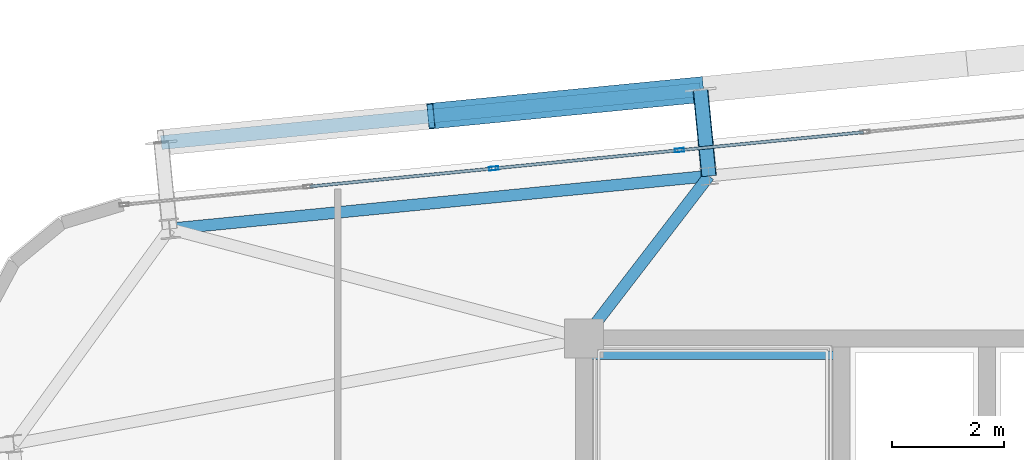
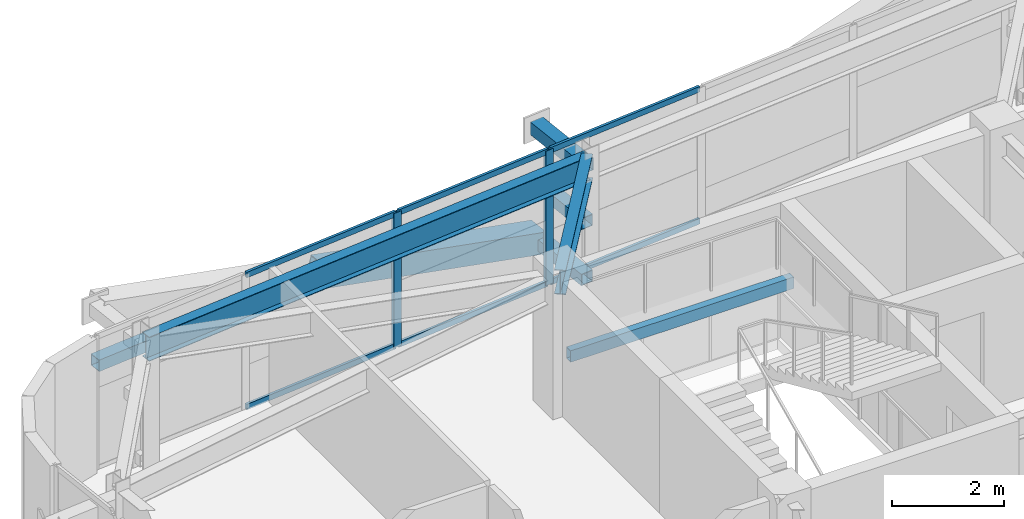
# One storey, part 28 of 54: 13 members, 3 beams, 1 element without a shape of its own.
"""IFC4 building model written with IfcOpenShell, lengths in metres."""

from ifc_helpers import new_model, si_unit, direction, frame, origin, origin_2d, place, context, subcontext, project, spatial, hollow_rectangle, i_section, extrude, source, transform, mapped, material, layer, layer_set, material_profile, profile_set, type_object, element, aggregate, save


model = new_model("IFC4")

# Units and contexts
model_context = context("Model", 3, precision=1e-05, world=origin(), true_north=direction((0.0, 1.0)))
body_context = subcontext(model_context, "Body", "Model", "MODEL_VIEW")
ifc_project = project(units=[si_unit("LENGTHUNIT", "METRE"), si_unit("AREAUNIT", "SQUARE_METRE"), si_unit("VOLUMEUNIT", "CUBIC_METRE"), si_unit("PLANEANGLEUNIT", "RADIAN"), si_unit("MASSUNIT", "GRAM", prefix="KILO")], contexts=[model_context])

# Site, building, storey
site_placement = place(None, origin())
site = spatial("IfcSite", under=ifc_project, at=site_placement, CompositionType="ELEMENT")
building_placement = place(site_placement, origin())
building = spatial("IfcBuilding", under=site, at=building_placement, Name="Taldren Reach Tower", CompositionType="ELEMENT")
storey_placement = place(building_placement, frame((0.0, 0.0, 102.89990234375)))
storey = spatial("IfcBuildingStorey", under=building, at=storey_placement, Name="L31", CompositionType="ELEMENT", Elevation=102.89990234375)

# Beams
ifc_material_1 = material(Name="Steel Gr 350 (350PLUS)", Category="steel")
ifc_material_profile_1 = material_profile(ifc_material_1, i_section(OverallWidth=0.208984375, OverallDepth=0.528076171875, WebThickness=0.009521484375, FlangeThickness=0.01318359375, at=origin_2d()), Name="530UB82.0")
ifc_profile_set_1 = profile_set([ifc_material_profile_1], Name="Steel Gr 350 (350PLUS)")
beam_type_1 = type_object("IfcBeamType", Name="SP-UB530B", PredefinedType="SPANDREL", material=ifc_profile_set_1)
shared_shape_1 = source(origin(), body_context, "Body", "SweptSolid", [
    extrude(i_section(OverallWidth=0.208984375, OverallDepth=0.528076171875, WebThickness=0.009521484375, FlangeThickness=0.01318359375, at=origin_2d()), origin(), (0.0, 0.0, 1.0), 9.679931640625),
])
beam_1_placement = place(storey_placement, frame((21.230712890625, 34.9013671875, 2.666015625), z_axis=(-0.995227612658, -0.097580730699, 0.0), x_axis=(0.097580730699, -0.995227612658, 0.0)))
element("IfcBeam", 1, at=beam_1_placement, inside=storey, type_object=beam_type_1, Name="Perimeter spandrel B2 N2-N1 L31", PredefinedType="SPANDREL", context=body_context, shape_type="MappedRepresentation", body=[
    mapped(shared_shape_1, transform((0.0, 0.0, 0.0), scale=1.0)),
])
ifc_material_profile_2 = material_profile(ifc_material_1, i_section(OverallWidth=0.208984375, OverallDepth=0.532958984375, WebThickness=0.01025390625, FlangeThickness=0.015625, at=origin_2d()), Name="530UB92.4")
ifc_profile_set_2 = profile_set([ifc_material_profile_2], Name="Steel Gr 350 (350PLUS)")
beam_type_2 = type_object("IfcBeamType", Name="BM-UB530A", PredefinedType="BEAM", material=ifc_profile_set_2)
shared_shape_2 = source(origin(), body_context, "Body", "SweptSolid", [
    extrude(i_section(OverallWidth=0.208984375, OverallDepth=0.532958984375, WebThickness=0.01025390625, FlangeThickness=0.015625, at=origin_2d()), origin(), (0.0, 0.0, 1.0), 3.65966796875),
])
beam_2_placement = place(storey_placement, frame((19.0, 32.0, 2.66357421875), z_axis=(0.609520535722, 0.792770279799, 0.0), x_axis=(-0.792770279799, 0.609520535722, 0.0)))
element("IfcBeam", 2, at=beam_2_placement, inside=storey, type_object=beam_type_2, Name="Primary floor girder B2-N2 L31", PredefinedType="BEAM", context=body_context, shape_type="MappedRepresentation", body=[
    mapped(shared_shape_2, transform((0.0, 0.0, 0.0), scale=1.0)),
])

# Members
ifc_material_2 = material(Name="Steel Gr 450 (C450L0)", Category="steel")
ifc_material_profile_3 = material_profile(ifc_material_2, hollow_rectangle(XDim=0.27490234375, YDim=0.27490234375, WallThickness=0.00927734375, at=origin_2d()), Name="275x275x9.3SHS")
ifc_profile_set_3 = profile_set([ifc_material_profile_3], Name="Steel Gr 450 (C450L0)")
member_type_1 = type_object("IfcMemberType", Name="MB-TIE273", PredefinedType="STRUT", material=ifc_profile_set_3)
shared_shape_3 = source(origin(), body_context, "Body", "SweptSolid", [
    extrude(hollow_rectangle(XDim=0.27490234375, YDim=0.27490234375, WallThickness=0.00927734375, at=origin_2d()), origin(), (0.0, 0.0, 1.0), 1.550048828125),
])
member_1_placement = place(storey_placement, frame((21.230712890625, 34.9013671875, 2.650146484375), z_axis=(-0.097647892962, 0.9952210252, 0.0), x_axis=(-0.9952210252, -0.097647892962, 0.0)))
element("IfcMember", 3, at=member_1_placement, inside=storey, type_object=member_type_1, Name="Exoskeleton diaphragm tie strut B2-N2 L31", PredefinedType="STRUT", context=body_context, shape_type="MappedRepresentation", body=[
    mapped(shared_shape_3, transform((0.0, 0.0, 0.0), scale=1.0)),
])
ifc_material_profile_4 = material_profile(ifc_material_2, hollow_rectangle(XDim=0.4599609375, YDim=0.4599609375, WallThickness=0.01611328125, at=origin_2d()), Name="460x460x16.0SHS")
ifc_profile_set_4 = profile_set([ifc_material_profile_4], Name="Steel Gr 450 (C450L0)")
member_type_2 = type_object("IfcMemberType", Name="MB-EXO457", PredefinedType="BRACE", material=ifc_profile_set_4)
shared_shape_4 = source(origin(), body_context, "Body", "SweptSolid", [
    extrude(hollow_rectangle(XDim=0.4599609375, YDim=0.4599609375, WallThickness=0.01611328125, at=origin_2d()), origin(), (0.0, 0.0, 1.0), 4.990234375),
])
member_2_placement = place(storey_placement, frame((21.079345703125, 36.444091796875, 0.22021484375), z_axis=(-0.965282554799, -0.094669120301, 0.243448859234), x_axis=(0.097605711627, -0.995225162995, 0.0)))
element("IfcMember", 4, at=member_2_placement, inside=storey, type_object=member_type_2, Name="Exoskeleton Diagrid Brace B2-N1 L31", PredefinedType="BRACE", context=body_context, shape_type="MappedRepresentation", body=[
    mapped(shared_shape_4, transform((0.0, 0.0, 0.0), scale=1.0)),
])
ifc_material_3 = material(Name="Steel Gr 350 (C350L0)", Category="steel")
ifc_material_profile_5 = material_profile(ifc_material_3, hollow_rectangle(XDim=0.25, YDim=0.25, WallThickness=0.010009765625, at=origin_2d()), Name="250x250x10.0SHS")
ifc_profile_set_5 = profile_set([ifc_material_profile_5], Name="Steel Gr 350 (C350L0)")
member_type_3 = type_object("IfcMemberType", Name="MB-POST250", PredefinedType="POST", material=ifc_profile_set_5)
shared_shape_5 = source(origin(), body_context, "Body", "SweptSolid", [
    extrude(hollow_rectangle(XDim=0.25, YDim=0.25, WallThickness=0.010009765625, at=origin_2d()), origin(), (0.0, 0.0, 1.0), 9.679931640625),
])
member_3_placement = place(storey_placement, frame((11.445556640625, 35.49951171875, 1.43505859375), z_axis=(0.995227612658, 0.097580730699, 0.0), x_axis=(-0.097580730699, 0.995227612658, 0.0)))
element("IfcMember", 5, at=member_3_placement, inside=storey, type_object=member_type_3, Name="Exoskeleton mid-height ring chord B2-N1 L31", PredefinedType="POST", context=body_context, shape_type="MappedRepresentation", body=[
    mapped(shared_shape_5, transform((0.0, 0.0, 0.0), scale=1.0)),
])
shared_shape_6 = source(origin(), body_context, "Body", "SweptSolid", [
    extrude(hollow_rectangle(XDim=0.25, YDim=0.25, WallThickness=0.010009765625, at=origin_2d()), origin(), (0.0, 0.0, 1.0), 1.550048828125),
])
for number, where, z_axis, x_axis, name in (
    (6, (21.230712890625, 34.9013671875, 0.22021484375), (-0.097647892962, 0.9952210252, 0.0), (-0.9952210252, -0.097647892962, 0.0), "Exoskeleton base diaphragm tie strut B2-N2 L31"),
    (7, (21.230712890625, 34.9013671875, 1.43505859375), (-0.097647892962, 0.9952210252, 0.0), (-0.9952210252, -0.097647892962, 0.0), "Exoskeleton mid-tier diaphragm tie B2-N2 L31"),
):
    element("IfcMember", number, at=place(storey_placement, frame(where, z_axis=z_axis, x_axis=x_axis)), inside=storey, type_object=member_type_3, Name=name, PredefinedType="POST", context=body_context, shape_type="MappedRepresentation", body=[
        mapped(shared_shape_6, transform((0.0, 0.0, 0.0), scale=1.0)),
    ])

# Curtain wall, members
ifc_material_4 = material(Name="Aluminium and Low-E Glass Unitised System", Category="aluminium")
ifc_layer = layer(ifc_material_4, 0.159912109375)
ifc_layer_set = layer_set([ifc_layer], Name="Aluminium and Low-E Glass Unitised System")
curtain_wall_type = type_object("IfcCurtainWallType", Name="CW-SYS-3", PredefinedType="NOTDEFINED", material=ifc_layer_set)
curtain_wall_placement = place(storey_placement, origin())
curtain_wall = element("IfcCurtainWall", 8, at=curtain_wall_placement, inside=storey, type_object=curtain_wall_type, Name="Unitised curtain wall CW-L31-N", PredefinedType="NOTDEFINED")
ifc_material_5 = material(Name="Anodised Aluminium 6063-T6", Category="aluminium")
ifc_material_profile_6 = material_profile(ifc_material_5, hollow_rectangle(XDim=0.06494140625, YDim=0.1650390625, WallThickness=0.00390625, at=origin_2d()), Name="ALU-165x65x4RHS")
ifc_profile_set_6 = profile_set([ifc_material_profile_6], Name="Anodised Aluminium 6063-T6")
member_type_4 = type_object("IfcMemberType", Name="CW-MUL-165", PredefinedType="MULLION", material=ifc_profile_set_6)
shared_shape_7 = source(origin(), body_context, "Body", "SweptSolid", [
    extrude(hollow_rectangle(XDim=0.06494140625, YDim=0.1650390625, WallThickness=0.00390625, at=origin_2d()), origin(), (0.0, 0.0, 1.0), 2.93017578125),
])
member_4_placement = place(storey_placement, frame((20.703125, 35.3623046875, 0.0), z_axis=(0.0, 0.0, 1.0), x_axis=(0.097582999046, -0.995227390247, 0.0)))
member_4 = element("IfcMember", 9, at=member_4_placement, type_object=member_type_4, Name="CW-3 mullion 13", PredefinedType="MULLION", context=body_context, shape_type="MappedRepresentation", body=[
    mapped(shared_shape_7, transform((0.0, 0.0, 0.0), scale=1.0)),
])
member_5_placement = place(storey_placement, frame((17.3857421875, 35.036865234375, 0.0), z_axis=(0.0, 0.0, 1.0), x_axis=(0.097582999046, -0.995227390247, 0.0)))
member_5 = element("IfcMember", 10, at=member_5_placement, type_object=member_type_4, Name="CW-3 mullion 14", PredefinedType="MULLION", context=body_context, shape_type="MappedRepresentation", body=[
    mapped(shared_shape_7, transform((0.0, 0.0, 0.0), scale=1.0)),
])
ifc_material_profile_7 = material_profile(ifc_material_5, hollow_rectangle(XDim=0.054931640625, YDim=0.1201171875, WallThickness=0.0029296875, at=origin_2d()), Name="ALU-120x55x3RHS")
ifc_profile_set_7 = profile_set([ifc_material_profile_7], Name="Anodised Aluminium 6063-T6")
member_type_5 = type_object("IfcMemberType", Name="CW-TRN-135", PredefinedType="USERDEFINED", material=ifc_profile_set_7)
shared_shape_8 = source(origin(), body_context, "Body", "SweptSolid", [
    extrude(hollow_rectangle(XDim=0.054931640625, YDim=0.1201171875, WallThickness=0.0029296875, at=origin_2d()), origin(), (0.0, 0.0, 1.0), 3.268310546875),
])
member_6_placement = place(storey_placement, frame((23.98828125, 35.684326171875, 0.027587890625), z_axis=(-0.99522980512, -0.097558367146, 0.0), x_axis=(0.097558367146, -0.99522980512, 0.0)))
member_6 = element("IfcMember", 11, at=member_6_placement, type_object=member_type_5, Name="CW-3 transom 12.1", ObjectType="TRANSOM", PredefinedType="USERDEFINED", context=body_context, shape_type="MappedRepresentation", body=[
    mapped(shared_shape_8, transform((0.0, 0.0, 0.0), scale=1.0)),
])
member_7_placement = place(storey_placement, frame((23.98828125, 35.684326171875, 2.902587890625), z_axis=(-0.99522980512, -0.097558367146, 0.0), x_axis=(0.097558367146, -0.99522980512, 0.0)))
member_7 = element("IfcMember", 12, at=member_7_placement, type_object=member_type_5, Name="CW-3 transom 12.2", ObjectType="TRANSOM", PredefinedType="USERDEFINED", context=body_context, shape_type="MappedRepresentation", body=[
    mapped(shared_shape_8, transform((0.0, 0.0, 0.0), scale=1.0)),
])
member_8_placement = place(storey_placement, frame((17.353271484375, 35.03369140625, 0.027587890625), z_axis=(-0.99522980512, -0.097558367146, 0.0), x_axis=(0.097558367146, -0.99522980512, 0.0)))
member_8 = element("IfcMember", 13, at=member_8_placement, type_object=member_type_5, Name="CW-3 transom 14.1", ObjectType="TRANSOM", PredefinedType="USERDEFINED", context=body_context, shape_type="MappedRepresentation", body=[
    mapped(shared_shape_8, transform((0.0, 0.0, 0.0), scale=1.0)),
])
member_9_placement = place(storey_placement, frame((17.353271484375, 35.03369140625, 2.902587890625), z_axis=(-0.99522980512, -0.097558367146, 0.0), x_axis=(0.097558367146, -0.99522980512, 0.0)))
member_9 = element("IfcMember", 14, at=member_9_placement, type_object=member_type_5, Name="CW-3 transom 14.2", ObjectType="TRANSOM", PredefinedType="USERDEFINED", context=body_context, shape_type="MappedRepresentation", body=[
    mapped(shared_shape_8, transform((0.0, 0.0, 0.0), scale=1.0)),
])
shared_shape_9 = source(origin(), body_context, "Body", "SweptSolid", [
    extrude(hollow_rectangle(XDim=0.054931640625, YDim=0.1201171875, WallThickness=0.0029296875, at=origin_2d()), origin(), (0.0, 0.0, 1.0), 3.2685546875),
])
member_10_placement = place(storey_placement, frame((20.6708984375, 35.359130859375, 0.027587890625), z_axis=(-0.995223261527, -0.09762509778, 0.0), x_axis=(0.09762509778, -0.995223261527, 0.0)))
member_10 = element("IfcMember", 15, at=member_10_placement, type_object=member_type_5, Name="CW-3 transom 13.1", ObjectType="TRANSOM", PredefinedType="USERDEFINED", context=body_context, shape_type="MappedRepresentation", body=[
    mapped(shared_shape_9, transform((0.0, 0.0, 0.0), scale=1.0)),
])
member_11_placement = place(storey_placement, frame((20.6708984375, 35.359130859375, 2.902587890625), z_axis=(-0.995223261527, -0.09762509778, 0.0), x_axis=(0.09762509778, -0.995223261527, 0.0)))
member_11 = element("IfcMember", 16, at=member_11_placement, type_object=member_type_5, Name="CW-3 transom 13.2", ObjectType="TRANSOM", PredefinedType="USERDEFINED", context=body_context, shape_type="MappedRepresentation", body=[
    mapped(shared_shape_9, transform((0.0, 0.0, 0.0), scale=1.0)),
])
aggregate(curtain_wall, [member_4, member_5, member_6, member_7, member_10, member_11, member_8, member_9])

# Beam
ifc_material_profile_8 = material_profile(ifc_material_3, hollow_rectangle(XDim=0.14990234375, YDim=0.25, WallThickness=0.009033203125, at=origin_2d()), Name="250x150x9.0RHS")
ifc_profile_set_8 = profile_set([ifc_material_profile_8], Name="Steel Gr 350 (C350L0)")
beam_type_3 = type_object("IfcBeamType", Name="LN-RHS250", PredefinedType="LINTEL", material=ifc_profile_set_8)
shared_shape_10 = source(origin(), body_context, "Body", "SweptSolid", [
    extrude(hollow_rectangle(XDim=0.14990234375, YDim=0.25, WallThickness=0.009033203125, at=origin_2d()), origin(), (0.0, 0.0, 1.0), 4.60009765625),
])
beam_3_placement = place(storey_placement, frame((19.0, 31.699951171875, 1.27001953125), z_axis=(1.0, 0.0, 0.0), x_axis=(0.0, 1.0, 0.0)))
element("IfcBeam", 17, at=beam_3_placement, inside=storey, type_object=beam_type_3, Name="Stair half-landing support beam ST1-L31-2", PredefinedType="LINTEL", context=body_context, shape_type="MappedRepresentation", body=[
    mapped(shared_shape_10, transform((0.0, 0.0, 0.0), scale=1.0)),
])

save(model, "model.ifc")
